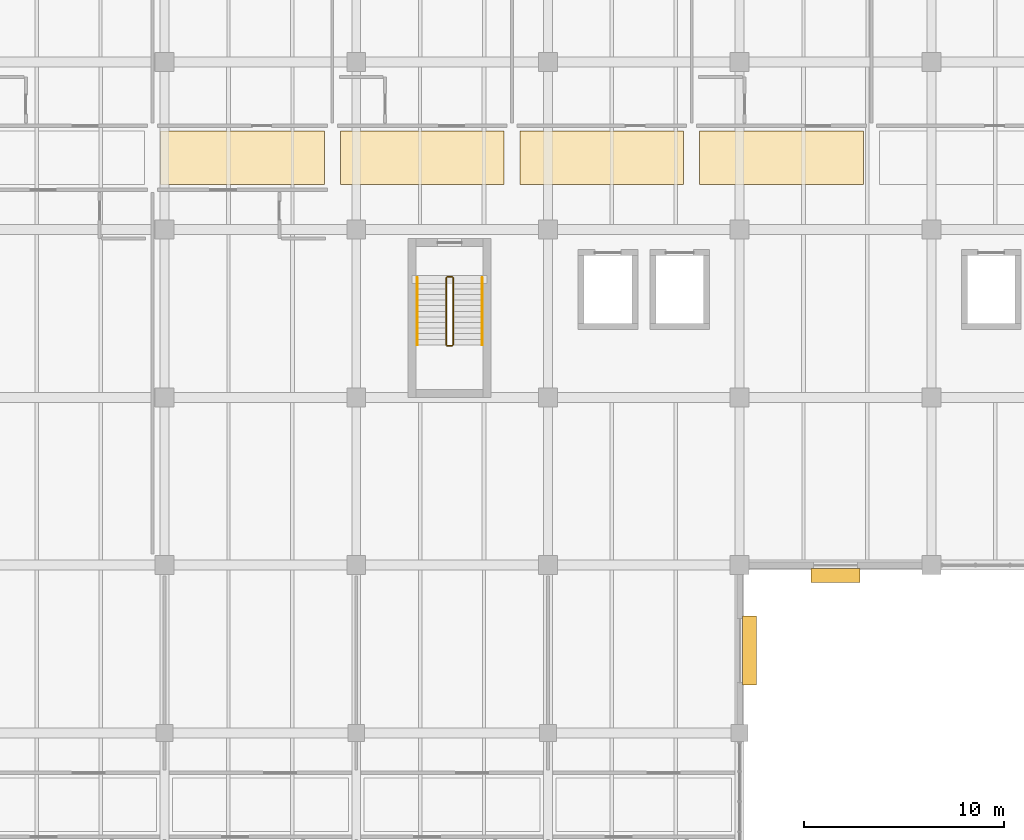
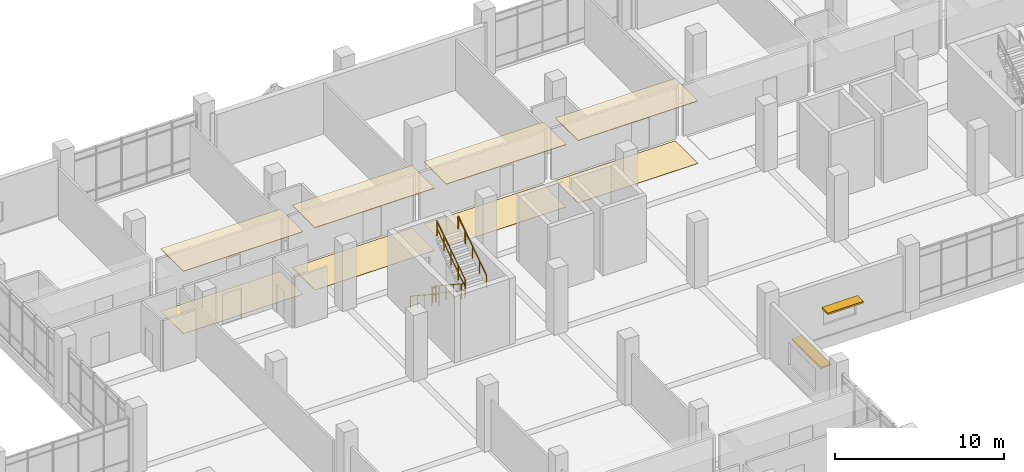
# One storey, part 149 of 152: 8 coverings, 6 railings, 2 shading devices.
"""IFC4 building model written with IfcOpenShell, lengths in metres."""

import ifcopenshell
import ifcopenshell.guid

model = None  # the IFC model being written
_history = None  # IfcOwnerHistory: only IFC2X3 demands one
_inside = {}  # id of a spatial element -> (the spatial element, [elements in it])
_under = {}  # id of a project, library or spatial element -> (it, [spatial elements below it])
_declared = {}  # id of a project -> (the project, [libraries it declares])
_typed = {}  # id of a type object -> (the type object, [elements of that type])
_made_of = {}  # id of a material, layer set ... -> (it, [elements and type objects made of it])


def new_model(schema):
    """Start an empty IFC model of exactly this schema.

    Asked for "IFC4X3", IfcOpenShell would pick the latest addendum, in which some entities
    have other attributes; the version numbers below select the first issue.
    IFC2X3 requires an IfcOwnerHistory on every rooted entity: one is made here for all.
    """
    global model, _history
    if schema == "IFC4X3":
        model = ifcopenshell.file(schema_version=(4, 3, 0, 0))
    else:
        model = ifcopenshell.file(schema=schema)
    _inside.clear()
    _under.clear()
    _declared.clear()
    _typed.clear()
    _made_of.clear()
    _history = None
    if model.schema == "IFC2X3":
        org = make("IfcOrganization", Name="unknown")
        user = make(
            "IfcPersonAndOrganization",
            ThePerson=make("IfcPerson", FamilyName="unknown"),
            TheOrganization=org,
        )
        app = make(
            "IfcApplication",
            ApplicationDeveloper=org,
            Version="unknown",
            ApplicationFullName="unknown",
            ApplicationIdentifier="unknown",
        )
        _history = make(
            "IfcOwnerHistory",
            OwningUser=user,
            OwningApplication=app,
            ChangeAction="ADDED",
            CreationDate=0,
        )
    return model


def make(cls, **values):
    """One entity of the class cls with the attributes given. An attribute that is None is left unset."""
    return model.create_entity(
        cls, **{name: value for name, value in values.items() if value is not None}
    )


def rooted(cls, **values):
    """An entity with a GlobalId (a new one), such as an element, a storey or a relation."""
    return make(cls, GlobalId=ifcopenshell.guid.new(), OwnerHistory=_history, **values)


def si_unit(unit_type, name, prefix=None):
    """IfcSIUnit, for example si_unit("LENGTHUNIT", "METRE", prefix="MILLI")."""
    return make("IfcSIUnit", UnitType=unit_type, Prefix=prefix, Name=name)


def assignment(units):
    """IfcUnitAssignment: the units of a project."""
    return None if units is None else make("IfcUnitAssignment", Units=units)


def point(xyz):
    """IfcCartesianPoint."""
    return None if xyz is None else make("IfcCartesianPoint", Coordinates=xyz)


def direction(xyz):
    """IfcDirection."""
    return None if xyz is None else make("IfcDirection", DirectionRatios=xyz)


def frame(location, z_axis=None, x_axis=None):
    """IfcAxis2Placement3D, a coordinate frame: its origin and axes. An axis left out is left unset."""
    return make(
        "IfcAxis2Placement3D",
        Location=point(location),
        Axis=direction(z_axis),
        RefDirection=direction(x_axis),
    )


def frame_2d(location, x_axis=None):
    """IfcAxis2Placement2D, a coordinate frame in the plane: its origin and x axis."""
    return make(
        "IfcAxis2Placement2D", Location=point(location), RefDirection=direction(x_axis)
    )


def origin():
    """The frame at (0, 0, 0) with its axes left unset."""
    return frame((0.0, 0.0, 0.0))


def origin_2d():
    """The frame at (0, 0) in the plane with its x axis left unset."""
    return frame_2d((0.0, 0.0))


def place(relative_to, where):
    """IfcLocalPlacement: puts the frame where relative to a parent placement (None: the world)."""
    return make(
        "IfcLocalPlacement", PlacementRelTo=relative_to, RelativePlacement=where
    )


def context(
    kind, dimensions, precision=None, world=None, true_north=None, identifier=None
):
    """IfcGeometricRepresentationContext, for example the 3D "Model" context."""
    return make(
        "IfcGeometricRepresentationContext",
        ContextIdentifier=identifier,
        ContextType=kind,
        CoordinateSpaceDimension=dimensions,
        Precision=precision,
        WorldCoordinateSystem=world,
        TrueNorth=true_north,
    )


def subcontext(parent, identifier, kind, view, scale=None):
    """IfcGeometricRepresentationSubContext, for example "Body" below "Model"."""
    return make(
        "IfcGeometricRepresentationSubContext",
        ContextIdentifier=identifier,
        ContextType=kind,
        ParentContext=parent,
        TargetScale=scale,
        TargetView=view,
    )


def project(units=None, contexts=None):
    """IfcProject with its units and contexts."""
    return rooted(
        "IfcProject",
        Name="project",
        RepresentationContexts=contexts,
        UnitsInContext=assignment(units),
    )


def spatial(cls, under=None, at=None, **own):
    """A site, building, storey or space (cls), placed at a placement, below another one or the project."""
    s = rooted(cls, ObjectPlacement=at, **own)
    if under is not None:
        _under.setdefault(under.id(), (under, []))[1].append(s)
    return s


def polyline(points):
    """IfcPolyline through the points."""
    return make("IfcPolyline", Points=[point(p) for p in points])


def profile(cls, at=None, kind="AREA", **sizes):
    """A parametric profile (cls). Its sizes go by their IFC names, for example OverallWidth=200.0."""
    return make(cls, ProfileType=kind, Position=at, **sizes)


def rectangle(**sizes):
    """IfcRectangleProfileDef."""
    return profile("IfcRectangleProfileDef", **sizes)


def circle(**sizes):
    """IfcCircleProfileDef."""
    return profile("IfcCircleProfileDef", **sizes)


def outline(outer, holes=None, kind="AREA"):
    """IfcArbitraryClosedProfileDef: a profile drawn as a closed curve; with holes, ...WithVoids."""
    if holes is None:
        return make("IfcArbitraryClosedProfileDef", ProfileType=kind, OuterCurve=outer)
    return make(
        "IfcArbitraryProfileDefWithVoids",
        ProfileType=kind,
        OuterCurve=outer,
        InnerCurves=holes,
    )


def extrude(swept, where, along, depth):
    """IfcExtrudedAreaSolid: the profile swept, set in the frame where, extruded along a direction by depth."""
    return make(
        "IfcExtrudedAreaSolid",
        SweptArea=swept,
        Position=where,
        ExtrudedDirection=direction(along),
        Depth=depth,
    )


def shape(context_of_items, identifier, shape_type, items):
    """IfcShapeRepresentation: the items that make up one representation, for example the "Body"."""
    return make(
        "IfcShapeRepresentation",
        ContextOfItems=context_of_items,
        RepresentationIdentifier=identifier,
        RepresentationType=shape_type,
        Items=items,
    )


def material(Name=None, Category=None):
    """IfcMaterial."""
    return make("IfcMaterial", Name=Name, Category=Category)


def layer(
    of_material, thickness, ventilated=None, Name=None, Category=None, Priority=None
):
    """IfcMaterialLayer: one layer of a wall or slab, of a material (None: an air gap)."""
    return make(
        "IfcMaterialLayer",
        Material=of_material,
        LayerThickness=thickness,
        IsVentilated=ventilated,
        Name=Name,
        Category=Category,
        Priority=Priority,
    )


def layer_set(layers, Name=None):
    """IfcMaterialLayerSet."""
    return make("IfcMaterialLayerSet", MaterialLayers=layers, LayerSetName=Name)


def made_of(thing, what):
    """Note that an element or type object is made of a material, layer set ...; save() writes the relation."""
    if what is not None:
        _made_of.setdefault(what.id(), (what, []))[1].append(thing)
    return thing


def type_object(cls, material=None, **own):
    """A type object (cls), such as IfcWallType, which elements share."""
    return made_of(rooted(cls, **own), material)


def element(
    cls,
    number,
    at=None,
    inside=None,
    cuts=None,
    type_object=None,
    material=None,
    context=None,
    identifier="Body",
    shape_type=None,
    held_by="IfcProductDefinitionShape",
    body=None,
    shapes=None,
    **own,
):
    """One element of the class cls, such as IfcWall. Its Tag is "e" and its number.

    at: its placement. inside: the storey or other place that contains it. cuts: it is an
    opening in that element (IfcRelVoidsElement). A single representation is given by context,
    identifier, shape_type and body (its items); several are given by shapes. held_by: the class
    of the entity that holds the representations. save() writes the other relations.
    """
    e = rooted(cls, Tag="e%d" % number, ObjectPlacement=at, **own)
    if body is not None:
        shapes = [shape(context, identifier, shape_type, body)]
    if shapes is not None:
        e.Representation = make(held_by, Representations=shapes)
    if inside is not None:
        _inside.setdefault(inside.id(), (inside, []))[1].append(e)
    if cuts is not None:
        rooted(
            "IfcRelVoidsElement", RelatingBuildingElement=cuts, RelatedOpeningElement=e
        )
    if type_object is not None:
        _typed.setdefault(type_object.id(), (type_object, []))[1].append(e)
    return made_of(e, material)


def aggregate(whole, parts):
    """IfcRelAggregates: a whole, such as a stair, and the parts it consists of."""
    return rooted("IfcRelAggregates", RelatingObject=whole, RelatedObjects=parts)


def save(model, path):
    """Write the relations noted so far, then the file.

    IfcRelAggregates (storeys below a building ...), IfcRelContainedInSpatialStructure (elements
    in a storey), IfcRelDefinesByType, IfcRelAssociatesMaterial and IfcRelDeclares: one each for
    every whole, place, type object, material and project.
    """
    for whole, parts in _under.values():
        aggregate(whole, parts)
    for where, things in _inside.values():
        rooted(
            "IfcRelContainedInSpatialStructure",
            RelatedElements=things,
            RelatingStructure=where,
        )
    for kind, things in _typed.values():
        rooted("IfcRelDefinesByType", RelatedObjects=things, RelatingType=kind)
    for what, things in _made_of.values():
        rooted("IfcRelAssociatesMaterial", RelatedObjects=things, RelatingMaterial=what)
    for by, libraries in _declared.values():
        rooted("IfcRelDeclares", RelatingContext=by, RelatedDefinitions=libraries)
    model.write(path)


model = new_model("IFC4")

# Units and contexts
model_context = context("Model", 3, precision=1e-05, world=origin(), true_north=direction((0.0, 1.0)))
body_context = subcontext(model_context, "Body", "Model", "MODEL_VIEW")
ifc_project = project(units=[si_unit("LENGTHUNIT", "METRE"), si_unit("AREAUNIT", "SQUARE_METRE"), si_unit("VOLUMEUNIT", "CUBIC_METRE"), si_unit("PLANEANGLEUNIT", "RADIAN"), si_unit("MASSUNIT", "GRAM", prefix="KILO")], contexts=[model_context])

# Site, building, storey
site_placement = place(None, origin())
site = spatial("IfcSite", under=ifc_project, at=site_placement, CompositionType="ELEMENT")
building_placement = place(site_placement, origin())
building = spatial("IfcBuilding", under=site, at=building_placement, Name="Oolite Switchyard Hospital", CompositionType="ELEMENT")
storey_placement = place(building_placement, frame((0.0, 0.0, 5.10009765625)))
storey = spatial("IfcBuildingStorey", under=building, at=storey_placement, Name="L01", CompositionType="ELEMENT", Elevation=5.10009765625)

# Coverings
ifc_material_1 = material(Name="Hygienic washable mineral-fibre acoustic ceiling")
ifc_layer_1 = layer(ifc_material_1, 0.0400390625)
ifc_layer_set_1 = layer_set([ifc_layer_1], Name="COV-CEIL-AC60")
covering_type_1 = type_object("IfcCoveringType", Name="COV-CEIL-AC60", PredefinedType="CEILING", material=ifc_layer_set_1)
covering_1_placement = place(storey_placement, frame((0.0, 0.0, 4.5)))
element("IfcCovering", 1, at=covering_1_placement, inside=storey, type_object=covering_type_1, Name="L01 East Ambulatory Surgery Ward Corridor Ceiling 2", PredefinedType="CEILING", context=body_context, shape_type="SweptSolid", body=[
    extrude(outline(polyline([(143.800048828125, 119.85009765625), (152.0, 119.85009765625), (152.0, 122.550048828125), (143.800048828125, 122.550048828125), (143.800048828125, 119.85009765625)])), origin(), (0.0, 0.0, 1.0), 0.039794921875),
])
covering_2_placement = place(storey_placement, frame((0.0, 0.0, 4.5)))
element("IfcCovering", 2, at=covering_2_placement, inside=storey, type_object=covering_type_1, Name="L01 East Ambulatory Surgery Ward Corridor Ceiling 3", PredefinedType="CEILING", context=body_context, shape_type="SweptSolid", body=[
    extrude(outline(polyline([(152.800048828125, 119.85009765625), (161.0, 119.85009765625), (161.0, 122.550048828125), (152.800048828125, 122.550048828125), (152.800048828125, 119.85009765625)])), origin(), (0.0, 0.0, 1.0), 0.039794921875),
])
covering_3_placement = place(storey_placement, frame((0.0, 0.0, 4.5)))
element("IfcCovering", 3, at=covering_3_placement, inside=storey, type_object=covering_type_1, Name="L01 East Ambulatory Surgery Ward Corridor Ceiling 4", PredefinedType="CEILING", context=body_context, shape_type="SweptSolid", body=[
    extrude(outline(polyline([(161.800048828125, 119.85009765625), (170.0, 119.85009765625), (170.0, 122.550048828125), (161.800048828125, 122.550048828125), (161.800048828125, 119.85009765625)])), origin(), (0.0, 0.0, 1.0), 0.039794921875),
])
covering_4_placement = place(storey_placement, frame((0.0, 0.0, 4.5)))
element("IfcCovering", 4, at=covering_4_placement, inside=storey, type_object=covering_type_1, Name="L01 East Ambulatory Surgery Ward Corridor Ceiling 5", PredefinedType="CEILING", context=body_context, shape_type="SweptSolid", body=[
    extrude(outline(polyline([(170.800048828125, 119.85009765625), (179.0, 119.85009765625), (179.0, 122.550048828125), (170.800048828125, 122.550048828125), (170.800048828125, 119.85009765625)])), origin(), (0.0, 0.0, 1.0), 0.039794921875),
])
ifc_material_2 = material(Name="Conductive homogeneous sheet vinyl flooring")
ifc_layer_2 = layer(ifc_material_2, 0.014892578125)
ifc_layer_set_2 = layer_set([ifc_layer_2], Name="COV-FLR-ESD15")
covering_type_2 = type_object("IfcCoveringType", Name="COV-FLR-ESD15", PredefinedType="FLOORING", material=ifc_layer_set_2)
covering_5_placement = place(storey_placement, origin())
element("IfcCovering", 5, at=covering_5_placement, inside=storey, type_object=covering_type_2, Name="L01 East Ambulatory Surgery Ward Corridor Flooring 2", PredefinedType="FLOORING", context=body_context, shape_type="SweptSolid", body=[
    extrude(outline(polyline([(143.800048828125, 119.85009765625), (152.0, 119.85009765625), (152.0, 122.550048828125), (143.800048828125, 122.550048828125), (143.800048828125, 119.85009765625)])), origin(), (0.0, 0.0, 1.0), 0.014892578125),
])
covering_6_placement = place(storey_placement, origin())
element("IfcCovering", 6, at=covering_6_placement, inside=storey, type_object=covering_type_2, Name="L01 East Ambulatory Surgery Ward Corridor Flooring 3", PredefinedType="FLOORING", context=body_context, shape_type="SweptSolid", body=[
    extrude(outline(polyline([(152.800048828125, 119.85009765625), (161.0, 119.85009765625), (161.0, 122.550048828125), (152.800048828125, 122.550048828125), (152.800048828125, 119.85009765625)])), origin(), (0.0, 0.0, 1.0), 0.014892578125),
])
covering_7_placement = place(storey_placement, origin())
element("IfcCovering", 7, at=covering_7_placement, inside=storey, type_object=covering_type_2, Name="L01 East Ambulatory Surgery Ward Corridor Flooring 4", PredefinedType="FLOORING", context=body_context, shape_type="SweptSolid", body=[
    extrude(outline(polyline([(161.800048828125, 119.85009765625), (170.0, 119.85009765625), (170.0, 122.550048828125), (161.800048828125, 122.550048828125), (161.800048828125, 119.85009765625)])), origin(), (0.0, 0.0, 1.0), 0.014892578125),
])
covering_8_placement = place(storey_placement, origin())
element("IfcCovering", 8, at=covering_8_placement, inside=storey, type_object=covering_type_2, Name="L01 East Ambulatory Surgery Ward Corridor Flooring 5", PredefinedType="FLOORING", context=body_context, shape_type="SweptSolid", body=[
    extrude(outline(polyline([(170.800048828125, 119.85009765625), (179.0, 119.85009765625), (179.0, 122.550048828125), (170.800048828125, 122.550048828125), (170.800048828125, 119.85009765625)])), origin(), (0.0, 0.0, 1.0), 0.014892578125),
])

# Railings
ifc_material_3 = material(Name="Galvanized painted architectural steel handrail", Category="steel")
railing_type_1 = type_object("IfcRailingType", Name="RL-STAIR-GRD", PredefinedType="GUARDRAIL", material=ifc_material_3)
railing_1_placement = place(storey_placement, frame((158.110107421875, 115.18994140625, 0.1845703125)))
element("IfcRailing", 9, at=railing_1_placement, inside=storey, type_object=railing_type_1, Name="L01 ST-03 stair guard 1", PredefinedType="GUARDRAIL", context=body_context, shape_type="SweptSolid", body=[
    extrude(circle(Radius=0.02392578125, at=origin_2d()), frame((0.0, 0.0, 1.076171875), z_axis=(0.0, -0.834858096282, 0.550465220583), x_axis=(1.0, 0.0, 0.0)), (0.0, 0.0, 1.0), 4.0244140625),
    extrude(circle(Radius=0.015625, at=origin_2d()), frame((0.0, 0.0, 0.550048828125), z_axis=(0.0, -0.834858096282, 0.550465220583), x_axis=(1.0, 0.0, 0.0)), (0.0, 0.0, 1.0), 4.0244140625),
    extrude(circle(Radius=0.02099609375, at=origin_2d()), origin(), (0.0, 0.0, 1.0), 1.052001953125),
    extrude(circle(Radius=0.02099609375, at=origin_2d()), frame((0.0, -0.83984375, 0.5537109375)), (0.0, 0.0, 1.0), 1.052001953125),
    extrude(circle(Radius=0.02099609375, at=origin_2d()), frame((0.0, -1.679931640625, 1.107666015625)), (0.0, 0.0, 1.0), 1.052001953125),
    extrude(circle(Radius=0.02099609375, at=origin_2d()), frame((0.0, -2.52001953125, 1.66162109375)), (0.0, 0.0, 1.0), 1.052001953125),
    extrude(circle(Radius=0.02099609375, at=origin_2d()), frame((0.0, -3.35986328125, 2.21533203125)), (0.0, 0.0, 1.0), 1.052001953125),
])
railing_2_placement = place(storey_placement, frame((158.159912109375, 111.780029296875, 2.39990234375)))
element("IfcRailing", 10, at=railing_2_placement, inside=storey, type_object=railing_type_1, Name="L01 ST-03 stair guard 2", PredefinedType="GUARDRAIL", context=body_context, shape_type="SweptSolid", body=[
    extrude(circle(Radius=0.02392578125, at=origin_2d()), frame((0.0, 0.0, 1.076171875), z_axis=(1.0, 0.0, 0.0), x_axis=(0.0, 1.0, 0.0)), (0.0, 0.0, 1.0), 0.239990234375),
    extrude(circle(Radius=0.015625, at=origin_2d()), frame((0.0, 0.0, 0.550048828125), z_axis=(1.0, 0.0, 0.0), x_axis=(0.0, 1.0, 0.0)), (0.0, 0.0, 1.0), 0.239990234375),
    extrude(circle(Radius=0.02099609375, at=origin_2d()), origin(), (0.0, 0.0, 1.0), 1.052001953125),
    extrude(circle(Radius=0.02099609375, at=origin_2d()), frame((0.239990234375, 0.0, 0.0)), (0.0, 0.0, 1.0), 1.052001953125),
])
railing_3_placement = place(storey_placement, frame((158.449951171875, 111.830078125, 2.58447265625)))
element("IfcRailing", 11, at=railing_3_placement, inside=storey, type_object=railing_type_1, Name="L01 ST-03 stair guard 3", PredefinedType="GUARDRAIL", context=body_context, shape_type="SweptSolid", body=[
    extrude(circle(Radius=0.02392578125, at=origin_2d()), frame((0.0, 0.0, 1.076171875), z_axis=(0.0, 0.834858096282, 0.550465220583), x_axis=(-1.0, 0.0, 0.0)), (0.0, 0.0, 1.0), 4.0244140625),
    extrude(circle(Radius=0.015625, at=origin_2d()), frame((0.0, 0.0, 0.550048828125), z_axis=(0.0, 0.834858096282, 0.550465220583), x_axis=(-1.0, 0.0, 0.0)), (0.0, 0.0, 1.0), 4.0244140625),
    extrude(circle(Radius=0.02099609375, at=origin_2d()), origin(), (0.0, 0.0, 1.0), 1.052001953125),
    extrude(circle(Radius=0.02099609375, at=origin_2d()), frame((0.0, 0.83984375, 0.5537109375)), (0.0, 0.0, 1.0), 1.052001953125),
    extrude(circle(Radius=0.02099609375, at=origin_2d()), frame((0.0, 1.679931640625, 1.107666015625)), (0.0, 0.0, 1.0), 1.052001953125),
    extrude(circle(Radius=0.02099609375, at=origin_2d()), frame((0.0, 2.52001953125, 1.66162109375)), (0.0, 0.0, 1.0), 1.052001953125),
    extrude(circle(Radius=0.02099609375, at=origin_2d()), frame((0.0, 3.35986328125, 2.21533203125)), (0.0, 0.0, 1.0), 1.052001953125),
])
railing_4_placement = place(storey_placement, frame((158.159912109375, 115.239990234375, 0.0)))
element("IfcRailing", 12, at=railing_4_placement, inside=storey, type_object=railing_type_1, Name="L01 ST-03 stair guard 4", PredefinedType="GUARDRAIL", context=body_context, shape_type="SweptSolid", body=[
    extrude(circle(Radius=0.02392578125, at=origin_2d()), frame((0.0, 0.0, 1.076171875), z_axis=(1.0, 0.0, 0.0), x_axis=(0.0, 1.0, 0.0)), (0.0, 0.0, 1.0), 0.239990234375),
    extrude(circle(Radius=0.015625, at=origin_2d()), frame((0.0, 0.0, 0.550048828125), z_axis=(1.0, 0.0, 0.0), x_axis=(0.0, 1.0, 0.0)), (0.0, 0.0, 1.0), 0.239990234375),
    extrude(circle(Radius=0.02099609375, at=origin_2d()), origin(), (0.0, 0.0, 1.0), 1.052001953125),
    extrude(circle(Radius=0.02099609375, at=origin_2d()), frame((0.239990234375, 0.0, 0.0)), (0.0, 0.0, 1.0), 1.052001953125),
])
railing_type_2 = type_object("IfcRailingType", Name="RL-STAIR-HND", PredefinedType="HANDRAIL", material=ifc_material_3)
railing_5_placement = place(storey_placement, frame((156.64990234375, 115.18994140625, 0.1845703125)))
element("IfcRailing", 13, at=railing_5_placement, inside=storey, type_object=railing_type_2, Name="L01 ST-03 stair handrail 1", PredefinedType="HANDRAIL", context=body_context, shape_type="SweptSolid", body=[
    extrude(circle(Radius=0.02392578125, at=origin_2d()), frame((0.0, 0.0, 0.8759765625), z_axis=(0.0, -0.834858096282, 0.550465220583), x_axis=(1.0, 0.0, 0.0)), (0.0, 0.0, 1.0), 4.0244140625),
    extrude(circle(Radius=0.02099609375, at=origin_2d()), origin(), (0.0, 0.0, 1.0), 0.851806640625),
    extrude(circle(Radius=0.02099609375, at=origin_2d()), frame((0.0, -0.83984375, 0.5537109375)), (0.0, 0.0, 1.0), 0.851806640625),
    extrude(circle(Radius=0.02099609375, at=origin_2d()), frame((0.0, -1.679931640625, 1.107666015625)), (0.0, 0.0, 1.0), 0.851806640625),
    extrude(circle(Radius=0.02099609375, at=origin_2d()), frame((0.0, -2.52001953125, 1.66162109375)), (0.0, 0.0, 1.0), 0.851806640625),
    extrude(circle(Radius=0.02099609375, at=origin_2d()), frame((0.0, -3.35986328125, 2.21533203125)), (0.0, 0.0, 1.0), 0.851806640625),
])
railing_6_placement = place(storey_placement, frame((159.909912109375, 111.830078125, 2.58447265625)))
element("IfcRailing", 14, at=railing_6_placement, inside=storey, type_object=railing_type_2, Name="L01 ST-03 stair handrail 2", PredefinedType="HANDRAIL", context=body_context, shape_type="SweptSolid", body=[
    extrude(circle(Radius=0.02392578125, at=origin_2d()), frame((0.0, 0.0, 0.8759765625), z_axis=(0.0, 0.834858096282, 0.550465220583), x_axis=(-1.0, 0.0, 0.0)), (0.0, 0.0, 1.0), 4.0244140625),
    extrude(circle(Radius=0.02099609375, at=origin_2d()), origin(), (0.0, 0.0, 1.0), 0.851806640625),
    extrude(circle(Radius=0.02099609375, at=origin_2d()), frame((0.0, 0.83984375, 0.5537109375)), (0.0, 0.0, 1.0), 0.851806640625),
    extrude(circle(Radius=0.02099609375, at=origin_2d()), frame((0.0, 1.679931640625, 1.107666015625)), (0.0, 0.0, 1.0), 0.851806640625),
    extrude(circle(Radius=0.02099609375, at=origin_2d()), frame((0.0, 2.52001953125, 1.66162109375)), (0.0, 0.0, 1.0), 0.851806640625),
    extrude(circle(Radius=0.02099609375, at=origin_2d()), frame((0.0, 3.35986328125, 2.21533203125)), (0.0, 0.0, 1.0), 0.851806640625),
])

# Shading devices
ifc_material_4 = material(Name="Precast oolitic limestone architectural concrete C40/50", Category="masonry")
ifc_layer_3 = layer(ifc_material_4, 0.1201171875)
ifc_layer_set_3 = layer_set([ifc_layer_3], Name="SHD-BRISE-900")
shading_device_type = type_object("IfcShadingDeviceType", Name="SHD-BRISE-900", PredefinedType="AWNING", material=ifc_layer_set_3)
shading_device_1_placement = place(storey_placement, frame((177.60009765625, 100.2900390625, 2.059814453125), z_axis=(0.0, 0.0, 1.0), x_axis=(1.0, 0.0, 0.0)))
element("IfcShadingDevice", 15, at=shading_device_1_placement, inside=storey, type_object=shading_device_type, Name="L01 Classical Brise-Soleil Sunshade 21", PredefinedType="AWNING", context=body_context, shape_type="SweptSolid", body=[
    extrude(rectangle(XDim=2.43994140625, YDim=0.699951171875, at=origin_2d()), origin(), (0.0, 0.0, 1.0), 0.1201171875),
])
shading_device_2_placement = place(storey_placement, frame((173.2900390625, 96.52001953125, 2.4599609375), z_axis=(0.0, 0.0, 1.0), x_axis=(0.0, 1.0, 0.0)))
element("IfcShadingDevice", 16, at=shading_device_2_placement, inside=storey, type_object=shading_device_type, Name="L01 Classical Brise-Soleil Sunshade 25", PredefinedType="AWNING", context=body_context, shape_type="SweptSolid", body=[
    extrude(rectangle(XDim=3.43994140625, YDim=0.699951171875, at=origin_2d()), origin(), (0.0, 0.0, 1.0), 0.1201171875),
])

save(model, "model.ifc")
